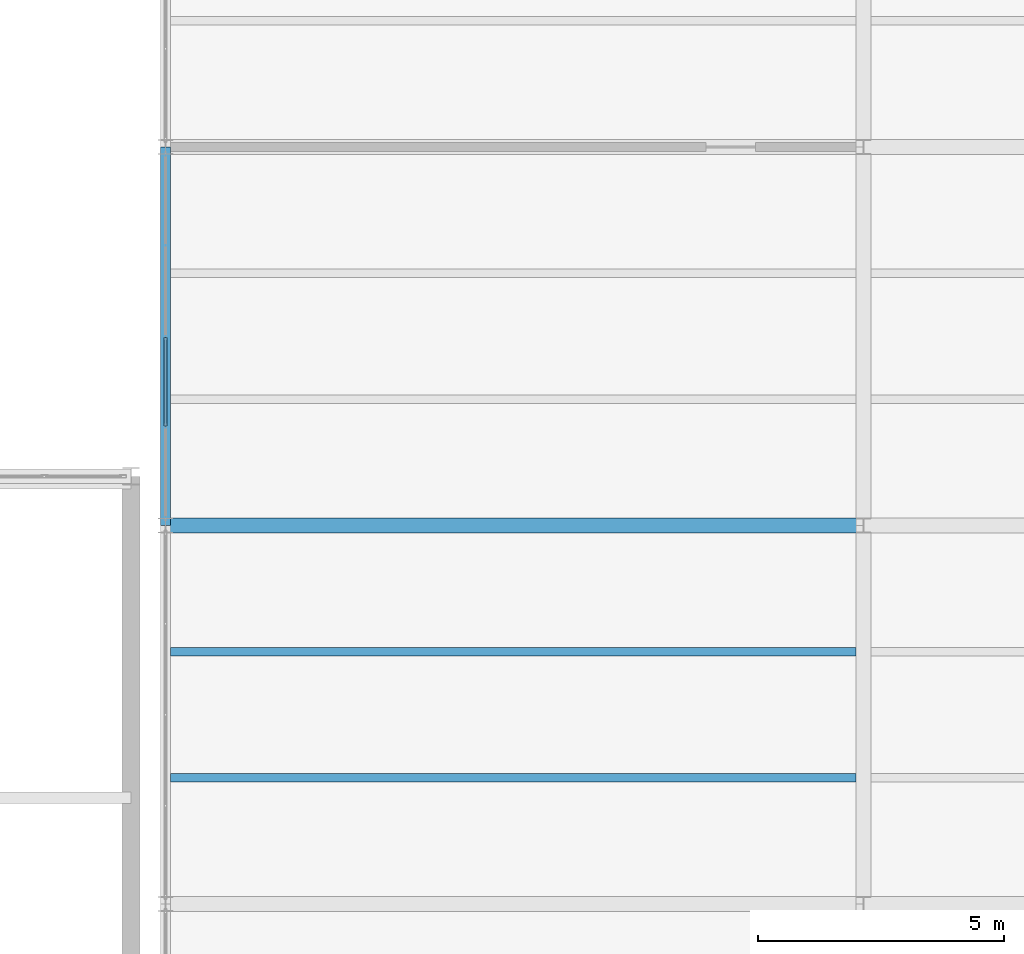
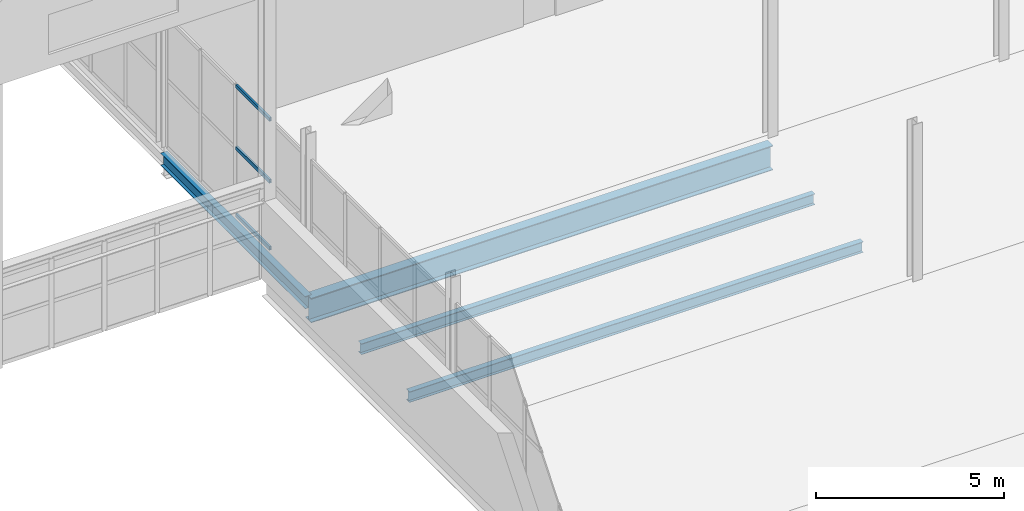
# One storey, part 130 of 218: 4 beams, 3 members, 1 element without a shape of its own.
"""IFC4 building model written with IfcOpenShell, lengths in metres."""

from ifc_helpers import new_model, si_unit, direction, frame, origin, origin_2d, place, context, subcontext, project, spatial, hollow_rectangle, i_section, extrude, material, material_profile, profile_set, type_object, element, aggregate, save


model = new_model("IFC4")

# Units and contexts
model_context = context("Model", 3, precision=1e-05, world=origin(), true_north=direction((0.0, 1.0)))
body_context = subcontext(model_context, "Body", "Model", "MODEL_VIEW")
ifc_project = project(units=[si_unit("LENGTHUNIT", "METRE"), si_unit("AREAUNIT", "SQUARE_METRE"), si_unit("VOLUMEUNIT", "CUBIC_METRE"), si_unit("PLANEANGLEUNIT", "RADIAN"), si_unit("MASSUNIT", "GRAM", prefix="KILO")], contexts=[model_context])

# Site, building, storey
site_placement = place(None, origin())
site = spatial("IfcSite", under=ifc_project, at=site_placement, CompositionType="ELEMENT")
building_placement = place(site_placement, origin())
building = spatial("IfcBuilding", under=site, at=building_placement, Name="Kazenagashi Tramway Depot", CompositionType="ELEMENT")
storey_placement = place(building_placement, frame((0.0, 0.0, 6.0)))
storey = spatial("IfcBuildingStorey", under=building, at=storey_placement, Name="L02", CompositionType="ELEMENT", Elevation=6.0)

# Beams
ifc_material_1 = material(Name="Steel SN490B", Category="steel")
ifc_material_profile_1 = material_profile(ifc_material_1, i_section(OverallWidth=0.3, OverallDepth=0.8, WebThickness=0.014, FlangeThickness=0.026, at=origin_2d()), Name="H-800x300x14x26")
ifc_profile_set_1 = profile_set([ifc_material_profile_1], Name="Steel SN490B")
beam_type_1 = type_object("IfcBeamType", Name="G-07", PredefinedType="BEAM", material=ifc_profile_set_1)
beam_1_placement = place(storey_placement, frame((146.3, 53.9, -0.68), z_axis=(1.0, 0.0, 0.0), x_axis=(0.0, 1.0, 0.0)))
element("IfcBeam", 1, at=beam_1_placement, inside=storey, type_object=beam_type_1, Name="Beam G-07 BM-1215", PredefinedType="BEAM", context=body_context, shape_type="SweptSolid", body=[
    extrude(i_section(OverallWidth=0.3, OverallDepth=0.8, WebThickness=0.014, FlangeThickness=0.026, at=origin_2d()), origin(), (0.0, 0.0, 1.0), 14.2),
])
ifc_material_2 = material(Name="Steel SN400B", Category="steel")
ifc_material_profile_2 = material_profile(ifc_material_2, i_section(OverallWidth=0.175, OverallDepth=0.35, WebThickness=0.007, FlangeThickness=0.011, at=origin_2d()), Name="H-350x175x7x11")
ifc_profile_set_2 = profile_set([ifc_material_profile_2], Name="Steel SN400B")
beam_type_2 = type_object("IfcBeamType", Name="J-01", PredefinedType="JOIST", material=ifc_profile_set_2)
for number, where, z_axis, x_axis, name in (
    (2, (146.4, 48.767, -0.455), (1.0, 0.0, 0.0), (0.0, 1.0, 0.0), "Beam J-01 BM-1248"),
    (3, (146.4, 51.333, -0.455), (1.0, 0.0, 0.0), (0.0, 1.0, 0.0), "Beam J-01 BM-1249"),
):
    element("IfcBeam", number, at=place(storey_placement, frame(where, z_axis=z_axis, x_axis=x_axis)), inside=storey, type_object=beam_type_2, Name=name, PredefinedType="JOIST", context=body_context, shape_type="SweptSolid", body=[
        extrude(i_section(OverallWidth=0.175, OverallDepth=0.35, WebThickness=0.007, FlangeThickness=0.011, at=origin_2d()), origin(), (0.0, 0.0, 1.0), 13.95),
    ])
ifc_material_profile_3 = material_profile(ifc_material_1, i_section(OverallWidth=0.2, OverallDepth=0.4, WebThickness=0.008, FlangeThickness=0.013, at=origin_2d()), Name="H-400x200x8x13")
ifc_profile_set_3 = profile_set([ifc_material_profile_3], Name="Steel SN490B")
beam_type_3 = type_object("IfcBeamType", Name="SP-04", PredefinedType="SPANDREL", material=ifc_profile_set_3)
beam_2_placement = place(storey_placement, frame((146.3, 53.9, -0.48), z_axis=(0.0, 1.0, 0.0), x_axis=(-1.0, 0.0, 0.0)))
element("IfcBeam", 4, at=beam_2_placement, inside=storey, type_object=beam_type_3, Name="Beam SP-04 BM-1250", PredefinedType="SPANDREL", context=body_context, shape_type="SweptSolid", body=[
    extrude(i_section(OverallWidth=0.2, OverallDepth=0.4, WebThickness=0.008, FlangeThickness=0.013, at=origin_2d()), origin(), (0.0, 0.0, 1.0), 7.7),
])

# Curtain wall, members
ifc_material_3 = material(Name="Anodised Aluminium and Low-E Glazing", Category="aluminium")
curtain_wall_type = type_object("IfcCurtainWallType", Name="CW-31", PredefinedType="USERDEFINED", material=ifc_material_3)
curtain_wall_placement = place(storey_placement, origin())
curtain_wall = element("IfcCurtainWall", 5, at=curtain_wall_placement, inside=storey, type_object=curtain_wall_type, Name="Industrial Glazed Screen CW-31 CW-0171", ObjectType="GLAZED SCREEN", PredefinedType="USERDEFINED")
ifc_material_4 = material(Name="Anodised Aluminium", Category="aluminium")
ifc_material_profile_4 = material_profile(ifc_material_4, hollow_rectangle(XDim=0.06, YDim=0.12, WallThickness=0.004, at=origin_2d()), Name="RHS-120x60x4")
ifc_profile_set_4 = profile_set([ifc_material_profile_4], Name="Anodised Aluminium")
member_type = type_object("IfcMemberType", Name="TR-01", PredefinedType="USERDEFINED", material=ifc_profile_set_4)
member_1_placement = place(storey_placement, frame((146.3, 55.925, 0.03), z_axis=(0.0, 1.0, 0.0), x_axis=(-1.0, 0.0, 0.0)))
member_1 = element("IfcMember", 6, at=member_1_placement, type_object=member_type, Name="CW-31 transom 2.1", ObjectType="TRANSOM", PredefinedType="USERDEFINED", context=body_context, shape_type="SweptSolid", body=[
    extrude(hollow_rectangle(XDim=0.06, YDim=0.12, WallThickness=0.004, at=origin_2d()), origin(), (0.0, 0.0, 1.0), 1.795),
])
member_2_placement = place(storey_placement, frame((146.3, 55.925, 2.21), z_axis=(0.0, 1.0, 0.0), x_axis=(-1.0, 0.0, 0.0)))
member_2 = element("IfcMember", 7, at=member_2_placement, type_object=member_type, Name="CW-31 transom 2.2", ObjectType="TRANSOM", PredefinedType="USERDEFINED", context=body_context, shape_type="SweptSolid", body=[
    extrude(hollow_rectangle(XDim=0.06, YDim=0.12, WallThickness=0.004, at=origin_2d()), origin(), (0.0, 0.0, 1.0), 1.795),
])
member_3_placement = place(storey_placement, frame((146.3, 55.925, 4.22), z_axis=(0.0, 1.0, 0.0), x_axis=(-1.0, 0.0, 0.0)))
member_3 = element("IfcMember", 8, at=member_3_placement, type_object=member_type, Name="CW-31 transom 2.3", ObjectType="TRANSOM", PredefinedType="USERDEFINED", context=body_context, shape_type="SweptSolid", body=[
    extrude(hollow_rectangle(XDim=0.06, YDim=0.12, WallThickness=0.004, at=origin_2d()), origin(), (0.0, 0.0, 1.0), 1.795),
])
aggregate(curtain_wall, [member_1, member_2, member_3])

save(model, "model.ifc")
